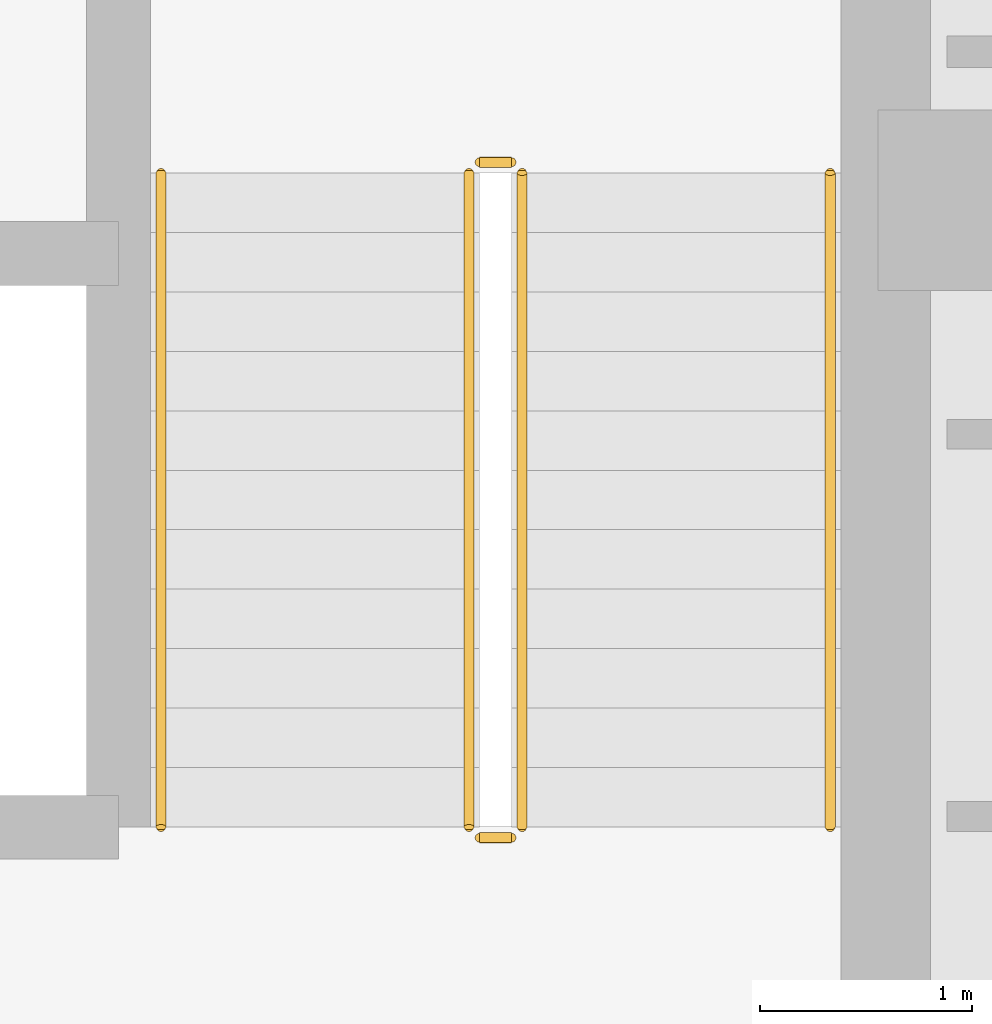
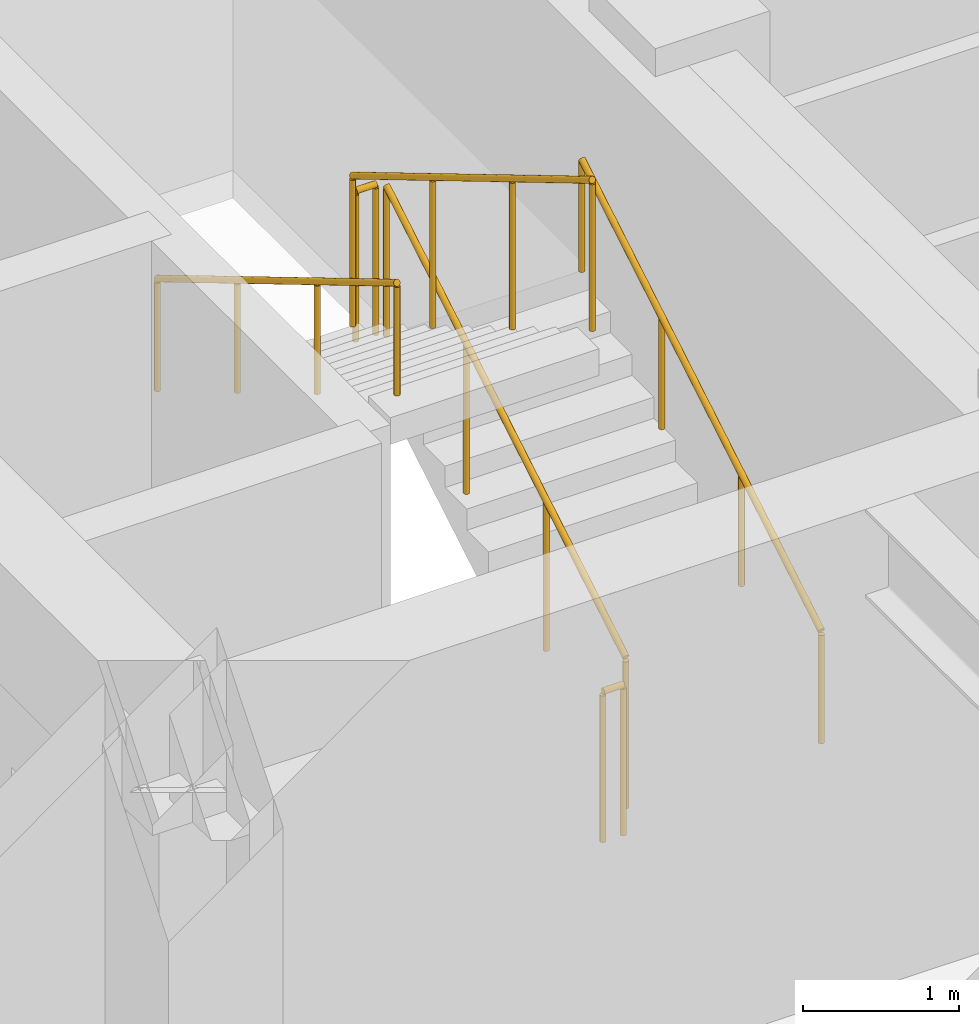
# One storey, part 26 of 29: 6 railings.
"""IFC4 building model written with IfcOpenShell, lengths in metres."""

from ifc_helpers import new_model, si_unit, direction, frame, origin, origin_2d, place, context, subcontext, project, spatial, circle, extrude, source, transform, mapped, material, type_object, element, save


model = new_model("IFC4")

# Units and contexts
model_context = context("Model", 3, precision=1e-05, world=origin(), true_north=direction((0.0, 1.0)))
body_context = subcontext(model_context, "Body", "Model", "MODEL_VIEW")
ifc_project = project(units=[si_unit("LENGTHUNIT", "METRE"), si_unit("AREAUNIT", "SQUARE_METRE"), si_unit("VOLUMEUNIT", "CUBIC_METRE"), si_unit("PLANEANGLEUNIT", "RADIAN"), si_unit("MASSUNIT", "GRAM", prefix="KILO")], contexts=[model_context])

# Site, building, storey
site_placement = place(None, origin())
site = spatial("IfcSite", under=ifc_project, at=site_placement, CompositionType="ELEMENT")
building_placement = place(site_placement, origin())
building = spatial("IfcBuilding", under=site, at=building_placement, Name="Khorayat Bourse Tower", CompositionType="ELEMENT")
storey_placement = place(building_placement, frame((0.0, 0.0, 239.10009765625)))
storey = spatial("IfcBuildingStorey", under=building, at=storey_placement, Name="L56", CompositionType="ELEMENT", Elevation=239.10009765625)

# Railings
ifc_material_1 = material(Name="Powder-coated steel balustrade", Category="steel")
railing_type_1 = type_object("IfcRailingType", Name="RLG-GUARD-1200", PredefinedType="GUARDRAIL", material=ifc_material_1)
shared_shape_1 = source(origin(), body_context, "Body", "SweptSolid", [
    extrude(circle(Radius=0.02392578125, at=origin_2d()), frame((0.0, 0.0, 1.17578125), z_axis=(-1.0, 0.0, 0.0), x_axis=(0.0, -1.0, 0.0)), (0.0, 0.0, 1.0), 0.150146484375),
    extrude(circle(Radius=0.02099609375, at=origin_2d()), origin(), (0.0, 0.0, 1.0), 1.15185546875),
    extrude(circle(Radius=0.02099609375, at=origin_2d()), frame((-0.150146484375, 0.0, 0.0)), (0.0, 0.0, 1.0), 1.15185546875),
])
for number, where, name in (
    (1, (-6.64990234375, -5.820068359375, 2.0), "L56 ST-1 stair guard 2"),
    (2, (-6.64990234375, -9.0, 0.0), "L56 ST-1 stair guard 4"),
):
    element("IfcRailing", number, at=place(storey_placement, frame(where)), inside=storey, type_object=railing_type_1, Name=name, PredefinedType="GUARDRAIL", context=body_context, shape_type="MappedRepresentation", body=[
        mapped(shared_shape_1, transform((0.0, 0.0, 0.0), scale=1.0)),
    ])
shared_shape_2 = source(origin(), body_context, "Body", "SweptSolid", [
    extrude(circle(Radius=0.02392578125, at=origin_2d()), frame((0.0, 0.0, 1.17578125), z_axis=(0.0, 0.859260807169, 0.511537745687), x_axis=(-1.0, 0.0, 0.0)), (0.0, 0.0, 1.0), 3.584228515625),
    extrude(circle(Radius=0.02099609375, at=origin_2d()), origin(), (0.0, 0.0, 1.0), 1.15185546875),
    extrude(circle(Radius=0.02099609375, at=origin_2d()), frame((0.0, 1.026611328125, 0.611083984375)), (0.0, 0.0, 1.0), 1.15185546875),
    extrude(circle(Radius=0.02099609375, at=origin_2d()), frame((0.0, 2.05322265625, 1.222412109375)), (0.0, 0.0, 1.0), 1.15185546875),
    extrude(circle(Radius=0.02099609375, at=origin_2d()), frame((0.0, 3.079833984375, 1.83349609375)), (0.0, 0.0, 1.0), 1.15185546875),
])
railing_1_placement = place(storey_placement, frame((-6.60009765625, -8.949951171875, 0.16650390625)))
element("IfcRailing", 3, at=railing_1_placement, inside=storey, type_object=railing_type_1, Name="L56 ST-1 stair guard 1", PredefinedType="GUARDRAIL", context=body_context, shape_type="MappedRepresentation", body=[
    mapped(shared_shape_2, transform((0.0, 0.0, 0.0), scale=1.0)),
])
shared_shape_3 = source(origin(), body_context, "Body", "SweptSolid", [
    extrude(circle(Radius=0.02392578125, at=origin_2d()), frame((0.0, 0.0, 1.17578125), z_axis=(0.0, -0.859260807169, 0.511537745687), x_axis=(1.0, 0.0, 0.0)), (0.0, 0.0, 1.0), 3.584228515625),
    extrude(circle(Radius=0.02099609375, at=origin_2d()), origin(), (0.0, 0.0, 1.0), 1.15185546875),
    extrude(circle(Radius=0.02099609375, at=origin_2d()), frame((0.0, -1.026611328125, 0.611083984375)), (0.0, 0.0, 1.0), 1.15185546875),
    extrude(circle(Radius=0.02099609375, at=origin_2d()), frame((0.0, -2.05322265625, 1.222412109375)), (0.0, 0.0, 1.0), 1.15185546875),
    extrude(circle(Radius=0.02099609375, at=origin_2d()), frame((0.0, -3.079833984375, 1.83349609375)), (0.0, 0.0, 1.0), 1.15185546875),
])
railing_2_placement = place(storey_placement, frame((-6.85009765625, -5.8701171875, 2.16650390625)))
element("IfcRailing", 4, at=railing_2_placement, inside=storey, type_object=railing_type_1, Name="L56 ST-1 stair guard 3", PredefinedType="GUARDRAIL", context=body_context, shape_type="MappedRepresentation", body=[
    mapped(shared_shape_3, transform((0.0, 0.0, 0.0), scale=1.0)),
])
ifc_material_2 = material(Name="Brushed bronze stainless-steel handrail", Category="steel")
railing_type_2 = type_object("IfcRailingType", Name="RLG-HAND-900", PredefinedType="HANDRAIL", material=ifc_material_2)
shared_shape_4 = source(origin(), body_context, "Body", "SweptSolid", [
    extrude(circle(Radius=0.02392578125, at=origin_2d()), frame((0.0, 0.0, 0.8759765625), z_axis=(0.0, 0.859260807169, 0.511537745687), x_axis=(-1.0, 0.0, 0.0)), (0.0, 0.0, 1.0), 3.584228515625),
    extrude(circle(Radius=0.02099609375, at=origin_2d()), origin(), (0.0, 0.0, 1.0), 0.851806640625),
    extrude(circle(Radius=0.02099609375, at=origin_2d()), frame((0.0, 1.026611328125, 0.611083984375)), (0.0, 0.0, 1.0), 0.851806640625),
    extrude(circle(Radius=0.02099609375, at=origin_2d()), frame((0.0, 2.05322265625, 1.222412109375)), (0.0, 0.0, 1.0), 0.851806640625),
    extrude(circle(Radius=0.02099609375, at=origin_2d()), frame((0.0, 3.079833984375, 1.83349609375)), (0.0, 0.0, 1.0), 0.851806640625),
])
railing_3_placement = place(storey_placement, frame((-5.14990234375, -8.949951171875, 0.16650390625)))
element("IfcRailing", 5, at=railing_3_placement, inside=storey, type_object=railing_type_2, Name="L56 ST-1 stair handrail 1", PredefinedType="HANDRAIL", context=body_context, shape_type="MappedRepresentation", body=[
    mapped(shared_shape_4, transform((0.0, 0.0, 0.0), scale=1.0)),
])
shared_shape_5 = source(origin(), body_context, "Body", "SweptSolid", [
    extrude(circle(Radius=0.02392578125, at=origin_2d()), frame((0.0, 0.0, 0.8759765625), z_axis=(0.0, -0.859260807169, 0.511537745687), x_axis=(1.0, 0.0, 0.0)), (0.0, 0.0, 1.0), 3.584228515625),
    extrude(circle(Radius=0.02099609375, at=origin_2d()), origin(), (0.0, 0.0, 1.0), 0.851806640625),
    extrude(circle(Radius=0.02099609375, at=origin_2d()), frame((0.0, -1.026611328125, 0.611083984375)), (0.0, 0.0, 1.0), 0.851806640625),
    extrude(circle(Radius=0.02099609375, at=origin_2d()), frame((0.0, -2.05322265625, 1.222412109375)), (0.0, 0.0, 1.0), 0.851806640625),
    extrude(circle(Radius=0.02099609375, at=origin_2d()), frame((0.0, -3.079833984375, 1.83349609375)), (0.0, 0.0, 1.0), 0.851806640625),
])
railing_4_placement = place(storey_placement, frame((-8.300048828125, -5.8701171875, 2.16650390625)))
element("IfcRailing", 6, at=railing_4_placement, inside=storey, type_object=railing_type_2, Name="L56 ST-1 stair handrail 2", PredefinedType="HANDRAIL", context=body_context, shape_type="MappedRepresentation", body=[
    mapped(shared_shape_5, transform((0.0, 0.0, 0.0), scale=1.0)),
])

save(model, "model.ifc")
